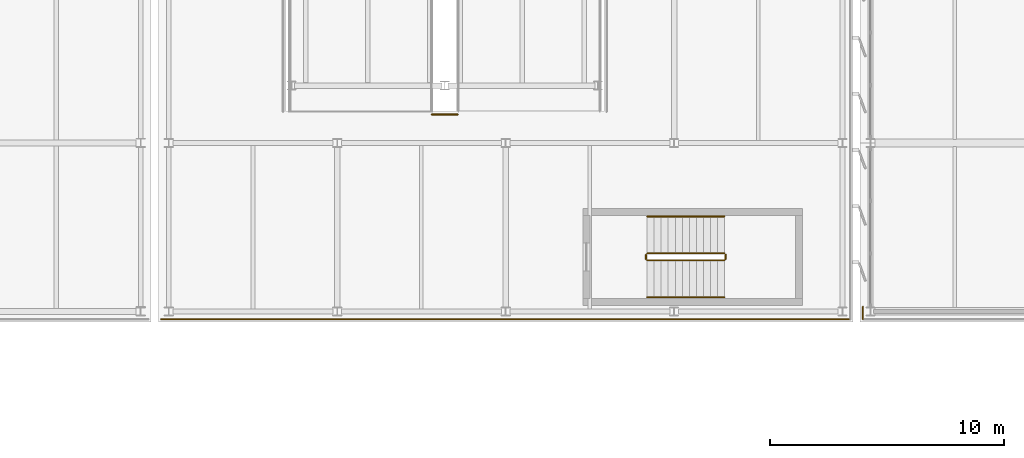
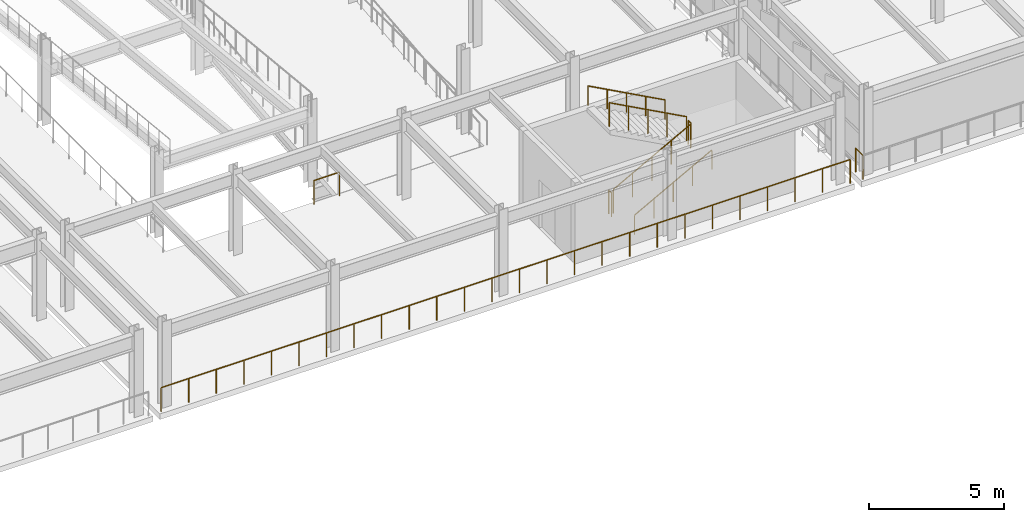
# One storey, part 89 of 93: 9 railings.
"""IFC4 building model written with IfcOpenShell, lengths in metres."""

from ifc_helpers import new_model, si_unit, direction, frame, origin, origin_2d, place, context, subcontext, project, spatial, circle, extrude, material, layer, layer_set, type_object, element, save


model = new_model("IFC4")

# Units and contexts
model_context = context("Model", 3, precision=1e-05, world=origin(), true_north=direction((0.0, 1.0)))
body_context = subcontext(model_context, "Body", "Model", "MODEL_VIEW")
ifc_project = project(units=[si_unit("LENGTHUNIT", "METRE"), si_unit("AREAUNIT", "SQUARE_METRE"), si_unit("VOLUMEUNIT", "CUBIC_METRE"), si_unit("PLANEANGLEUNIT", "RADIAN"), si_unit("MASSUNIT", "GRAM", prefix="KILO")], contexts=[model_context])

# Site, building, storey
site_placement = place(None, origin())
site = spatial("IfcSite", under=ifc_project, at=site_placement, CompositionType="ELEMENT")
building_placement = place(site_placement, origin())
building = spatial("IfcBuilding", under=site, at=building_placement, Name="Vaelcorin Mobility Hub", CompositionType="ELEMENT")
storey_placement = place(building_placement, frame((0.0, 0.0, 5.39990234375)))
storey = spatial("IfcBuildingStorey", under=building, at=storey_placement, Name="L01", CompositionType="ELEMENT", Elevation=5.39990234375)

# Railings
ifc_material_1 = material(Name="Galvanised structural steel ASTM A36", Category="steel")
ifc_layer_1 = layer(ifc_material_1, 0.070068359375)
ifc_layer_set_1 = layer_set([ifc_layer_1], Name="Galvanised structural steel ASTM A36")
railing_type_1 = type_object("IfcRailingType", Name="RL-GUARD-1100", PredefinedType="BALUSTRADE", material=ifc_layer_set_1)
railing_1_placement = place(storey_placement, frame((134.85009765625, 85.219970703125, 0.0)))
element("IfcRailing", 1, at=railing_1_placement, inside=storey, type_object=railing_type_1, Name="L01 Perimeter Guard GR-V2E-L01-WELL-MED-01", PredefinedType="BALUSTRADE", context=body_context, shape_type="SweptSolid", body=[
    extrude(circle(Radius=0.02392578125, at=origin_2d()), frame((0.0, 0.0, 1.076171875), z_axis=(1.0, 0.0, 0.0), x_axis=(0.0, 1.0, 0.0)), (0.0, 0.0, 1.0), 1.099853515625),
    extrude(circle(Radius=0.02099609375, at=origin_2d()), origin(), (0.0, 0.0, 1.0), 1.052001953125),
    extrude(circle(Radius=0.02099609375, at=origin_2d()), frame((1.099853515625, 0.0, 0.0)), (0.0, 0.0, 1.0), 1.052001953125),
])
railing_2_placement = place(storey_placement, frame((152.72998046875, 76.469970703125, 0.0)))
element("IfcRailing", 2, at=railing_2_placement, inside=storey, type_object=railing_type_1, Name="L01 Perimeter Guard GR-V2E-L01-15", PredefinedType="BALUSTRADE", context=body_context, shape_type="SweptSolid", body=[
    extrude(circle(Radius=0.02392578125, at=origin_2d()), frame((0.0, 0.0, 1.076171875), z_axis=(-1.0, 0.0, 0.0), x_axis=(0.0, -1.0, 0.0)), (0.0, 0.0, 1.0), 29.4599609375),
    extrude(circle(Radius=0.02099609375, at=origin_2d()), origin(), (0.0, 0.0, 1.0), 1.052001953125),
    extrude(circle(Radius=0.02099609375, at=origin_2d()), frame((-1.178466796875, 0.0, 0.0)), (0.0, 0.0, 1.0), 1.052001953125),
    extrude(circle(Radius=0.02099609375, at=origin_2d()), frame((-2.356689453125, 0.0, 0.0)), (0.0, 0.0, 1.0), 1.052001953125),
    extrude(circle(Radius=0.02099609375, at=origin_2d()), frame((-3.53515625, 0.0, 0.0)), (0.0, 0.0, 1.0), 1.052001953125),
    extrude(circle(Radius=0.02099609375, at=origin_2d()), frame((-4.713623046875, 0.0, 0.0)), (0.0, 0.0, 1.0), 1.052001953125),
    extrude(circle(Radius=0.02099609375, at=origin_2d()), frame((-5.89208984375, 0.0, 0.0)), (0.0, 0.0, 1.0), 1.052001953125),
    extrude(circle(Radius=0.02099609375, at=origin_2d()), frame((-7.0703125, 0.0, 0.0)), (0.0, 0.0, 1.0), 1.052001953125),
    extrude(circle(Radius=0.02099609375, at=origin_2d()), frame((-8.248779296875, 0.0, 0.0)), (0.0, 0.0, 1.0), 1.052001953125),
    extrude(circle(Radius=0.02099609375, at=origin_2d()), frame((-9.42724609375, 0.0, 0.0)), (0.0, 0.0, 1.0), 1.052001953125),
    extrude(circle(Radius=0.02099609375, at=origin_2d()), frame((-10.60546875, 0.0, 0.0)), (0.0, 0.0, 1.0), 1.052001953125),
    extrude(circle(Radius=0.02099609375, at=origin_2d()), frame((-11.783935546875, 0.0, 0.0)), (0.0, 0.0, 1.0), 1.052001953125),
    extrude(circle(Radius=0.02099609375, at=origin_2d()), frame((-12.96240234375, 0.0, 0.0)), (0.0, 0.0, 1.0), 1.052001953125),
    extrude(circle(Radius=0.02099609375, at=origin_2d()), frame((-14.140869140625, 0.0, 0.0)), (0.0, 0.0, 1.0), 1.052001953125),
    extrude(circle(Radius=0.02099609375, at=origin_2d()), frame((-15.319091796875, 0.0, 0.0)), (0.0, 0.0, 1.0), 1.052001953125),
    extrude(circle(Radius=0.02099609375, at=origin_2d()), frame((-16.49755859375, 0.0, 0.0)), (0.0, 0.0, 1.0), 1.052001953125),
    extrude(circle(Radius=0.02099609375, at=origin_2d()), frame((-17.676025390625, 0.0, 0.0)), (0.0, 0.0, 1.0), 1.052001953125),
    extrude(circle(Radius=0.02099609375, at=origin_2d()), frame((-18.8544921875, 0.0, 0.0)), (0.0, 0.0, 1.0), 1.052001953125),
    extrude(circle(Radius=0.02099609375, at=origin_2d()), frame((-20.03271484375, 0.0, 0.0)), (0.0, 0.0, 1.0), 1.052001953125),
    extrude(circle(Radius=0.02099609375, at=origin_2d()), frame((-21.211181640625, 0.0, 0.0)), (0.0, 0.0, 1.0), 1.052001953125),
    extrude(circle(Radius=0.02099609375, at=origin_2d()), frame((-22.3896484375, 0.0, 0.0)), (0.0, 0.0, 1.0), 1.052001953125),
    extrude(circle(Radius=0.02099609375, at=origin_2d()), frame((-23.56787109375, 0.0, 0.0)), (0.0, 0.0, 1.0), 1.052001953125),
    extrude(circle(Radius=0.02099609375, at=origin_2d()), frame((-24.746337890625, 0.0, 0.0)), (0.0, 0.0, 1.0), 1.052001953125),
    extrude(circle(Radius=0.02099609375, at=origin_2d()), frame((-25.9248046875, 0.0, 0.0)), (0.0, 0.0, 1.0), 1.052001953125),
    extrude(circle(Radius=0.02099609375, at=origin_2d()), frame((-27.103271484375, 0.0, 0.0)), (0.0, 0.0, 1.0), 1.052001953125),
    extrude(circle(Radius=0.02099609375, at=origin_2d()), frame((-28.281494140625, 0.0, 0.0)), (0.0, 0.0, 1.0), 1.052001953125),
    extrude(circle(Radius=0.02099609375, at=origin_2d()), frame((-29.4599609375, 0.0, 0.0)), (0.0, 0.0, 1.0), 1.052001953125),
])
railing_3_placement = place(storey_placement, frame((153.27001953125, 76.469970703125, 0.0)))
element("IfcRailing", 3, at=railing_3_placement, inside=storey, type_object=railing_type_1, Name="L01 Perimeter Guard GR-V5-L01-NOTCH-05", PredefinedType="BALUSTRADE", context=body_context, shape_type="SweptSolid", body=[
    extrude(circle(Radius=0.02392578125, at=origin_2d()), frame((0.0, 0.0, 1.076171875), z_axis=(0.0, 1.0, 0.0), x_axis=(-1.0, 0.0, 0.0)), (0.0, 0.0, 1.0), 0.530029296875),
    extrude(circle(Radius=0.02099609375, at=origin_2d()), origin(), (0.0, 0.0, 1.0), 1.052001953125),
    extrude(circle(Radius=0.02099609375, at=origin_2d()), frame((0.0, 0.530029296875, 0.0)), (0.0, 0.0, 1.0), 1.052001953125),
])
ifc_material_2 = material(Name="Brushed stainless steel 316L", Category="steel")
ifc_layer_2 = layer(ifc_material_2, 0.048095703125)
ifc_layer_set_2 = layer_set([ifc_layer_2], Name="Brushed stainless steel 316L")
railing_type_2 = type_object("IfcRailingType", Name="RL-STAIR-GRD", PredefinedType="GUARDRAIL", material=ifc_layer_set_2)
railing_4_placement = place(storey_placement, frame((144.050048828125, 78.97998046875, 0.16259765625)))
element("IfcRailing", 4, at=railing_4_placement, inside=storey, type_object=railing_type_2, Name="L01 ST2 stair guard 1", PredefinedType="GUARDRAIL", context=body_context, shape_type="SweptSolid", body=[
    extrude(circle(Radius=0.02392578125, at=origin_2d()), frame((0.0, 0.0, 1.076171875), z_axis=(0.879284020681, 0.0, 0.476297817521), x_axis=(0.0, 1.0, 0.0)), (0.0, 0.0, 1.0), 3.753173828125),
    extrude(circle(Radius=0.02099609375, at=origin_2d()), origin(), (0.0, 0.0, 1.0), 1.052001953125),
    extrude(circle(Radius=0.02099609375, at=origin_2d()), frame((0.824951171875, 0.0, 0.44677734375)), (0.0, 0.0, 1.0), 1.052001953125),
    extrude(circle(Radius=0.02099609375, at=origin_2d()), frame((1.64990234375, 0.0, 0.893798828125)), (0.0, 0.0, 1.0), 1.052001953125),
    extrude(circle(Radius=0.02099609375, at=origin_2d()), frame((2.47509765625, 0.0, 1.3408203125)), (0.0, 0.0, 1.0), 1.052001953125),
    extrude(circle(Radius=0.02099609375, at=origin_2d()), frame((3.300048828125, 0.0, 1.78759765625)), (0.0, 0.0, 1.0), 1.052001953125),
])
railing_5_placement = place(storey_placement, frame((147.39990234375, 79.030029296875, 1.9501953125)))
element("IfcRailing", 5, at=railing_5_placement, inside=storey, type_object=railing_type_2, Name="L01 ST2 stair guard 2", PredefinedType="GUARDRAIL", context=body_context, shape_type="SweptSolid", body=[
    extrude(circle(Radius=0.02392578125, at=origin_2d()), frame((0.0, 0.0, 1.076171875), z_axis=(0.0, 1.0, 0.0), x_axis=(-1.0, 0.0, 0.0)), (0.0, 0.0, 1.0), 0.199951171875),
    extrude(circle(Radius=0.02099609375, at=origin_2d()), origin(), (0.0, 0.0, 1.0), 1.052001953125),
    extrude(circle(Radius=0.02099609375, at=origin_2d()), frame((0.0, 0.199951171875, 0.0)), (0.0, 0.0, 1.0), 1.052001953125),
])
railing_6_placement = place(storey_placement, frame((147.35009765625, 79.280029296875, 2.112548828125)))
element("IfcRailing", 6, at=railing_6_placement, inside=storey, type_object=railing_type_2, Name="L01 ST2 stair guard 3", PredefinedType="GUARDRAIL", context=body_context, shape_type="SweptSolid", body=[
    extrude(circle(Radius=0.02392578125, at=origin_2d()), frame((0.0, 0.0, 1.076171875), z_axis=(-0.879284020681, 0.0, 0.476297817521), x_axis=(0.0, -1.0, 0.0)), (0.0, 0.0, 1.0), 3.753173828125),
    extrude(circle(Radius=0.02099609375, at=origin_2d()), origin(), (0.0, 0.0, 1.0), 1.052001953125),
    extrude(circle(Radius=0.02099609375, at=origin_2d()), frame((-0.824951171875, 0.0, 0.44677734375)), (0.0, 0.0, 1.0), 1.052001953125),
    extrude(circle(Radius=0.02099609375, at=origin_2d()), frame((-1.64990234375, 0.0, 0.893798828125)), (0.0, 0.0, 1.0), 1.052001953125),
    extrude(circle(Radius=0.02099609375, at=origin_2d()), frame((-2.47509765625, 0.0, 1.3408203125)), (0.0, 0.0, 1.0), 1.052001953125),
    extrude(circle(Radius=0.02099609375, at=origin_2d()), frame((-3.300048828125, 0.0, 1.78759765625)), (0.0, 0.0, 1.0), 1.052001953125),
])
railing_7_placement = place(storey_placement, frame((144.0, 79.030029296875, 0.0)))
element("IfcRailing", 7, at=railing_7_placement, inside=storey, type_object=railing_type_2, Name="L01 ST2 stair guard 4", PredefinedType="GUARDRAIL", context=body_context, shape_type="SweptSolid", body=[
    extrude(circle(Radius=0.02392578125, at=origin_2d()), frame((0.0, 0.0, 1.076171875), z_axis=(0.0, 1.0, 0.0), x_axis=(-1.0, 0.0, 0.0)), (0.0, 0.0, 1.0), 0.199951171875),
    extrude(circle(Radius=0.02099609375, at=origin_2d()), origin(), (0.0, 0.0, 1.0), 1.052001953125),
    extrude(circle(Radius=0.02099609375, at=origin_2d()), frame((0.0, 0.199951171875, 0.0)), (0.0, 0.0, 1.0), 1.052001953125),
])
ifc_layer_3 = layer(ifc_material_2, 0.048095703125)
ifc_layer_set_3 = layer_set([ifc_layer_3], Name="Brushed stainless steel 316L")
railing_type_3 = type_object("IfcRailingType", Name="RL-STAIR-HR", PredefinedType="HANDRAIL", material=ifc_layer_set_3)
railing_8_placement = place(storey_placement, frame((144.050048828125, 77.39990234375, 0.16259765625)))
element("IfcRailing", 8, at=railing_8_placement, inside=storey, type_object=railing_type_3, Name="L01 ST2 stair handrail 1", PredefinedType="HANDRAIL", context=body_context, shape_type="SweptSolid", body=[
    extrude(circle(Radius=0.02392578125, at=origin_2d()), frame((0.0, 0.0, 0.8759765625), z_axis=(0.879284020681, 0.0, 0.476297817521), x_axis=(0.0, 1.0, 0.0)), (0.0, 0.0, 1.0), 3.753173828125),
    extrude(circle(Radius=0.02099609375, at=origin_2d()), origin(), (0.0, 0.0, 1.0), 0.851806640625),
    extrude(circle(Radius=0.02099609375, at=origin_2d()), frame((0.824951171875, 0.0, 0.44677734375)), (0.0, 0.0, 1.0), 0.851806640625),
    extrude(circle(Radius=0.02099609375, at=origin_2d()), frame((1.64990234375, 0.0, 0.893798828125)), (0.0, 0.0, 1.0), 0.851806640625),
    extrude(circle(Radius=0.02099609375, at=origin_2d()), frame((2.47509765625, 0.0, 1.3408203125)), (0.0, 0.0, 1.0), 0.851806640625),
    extrude(circle(Radius=0.02099609375, at=origin_2d()), frame((3.300048828125, 0.0, 1.78759765625)), (0.0, 0.0, 1.0), 0.851806640625),
])
railing_9_placement = place(storey_placement, frame((147.35009765625, 80.860107421875, 2.112548828125)))
element("IfcRailing", 9, at=railing_9_placement, inside=storey, type_object=railing_type_3, Name="L01 ST2 stair handrail 2", PredefinedType="HANDRAIL", context=body_context, shape_type="SweptSolid", body=[
    extrude(circle(Radius=0.02392578125, at=origin_2d()), frame((0.0, 0.0, 0.8759765625), z_axis=(-0.879284020681, 0.0, 0.476297817521), x_axis=(0.0, -1.0, 0.0)), (0.0, 0.0, 1.0), 3.753173828125),
    extrude(circle(Radius=0.02099609375, at=origin_2d()), origin(), (0.0, 0.0, 1.0), 0.851806640625),
    extrude(circle(Radius=0.02099609375, at=origin_2d()), frame((-0.824951171875, 0.0, 0.44677734375)), (0.0, 0.0, 1.0), 0.851806640625),
    extrude(circle(Radius=0.02099609375, at=origin_2d()), frame((-1.64990234375, 0.0, 0.893798828125)), (0.0, 0.0, 1.0), 0.851806640625),
    extrude(circle(Radius=0.02099609375, at=origin_2d()), frame((-2.47509765625, 0.0, 1.3408203125)), (0.0, 0.0, 1.0), 0.851806640625),
    extrude(circle(Radius=0.02099609375, at=origin_2d()), frame((-3.300048828125, 0.0, 1.78759765625)), (0.0, 0.0, 1.0), 0.851806640625),
])

save(model, "model.ifc")
